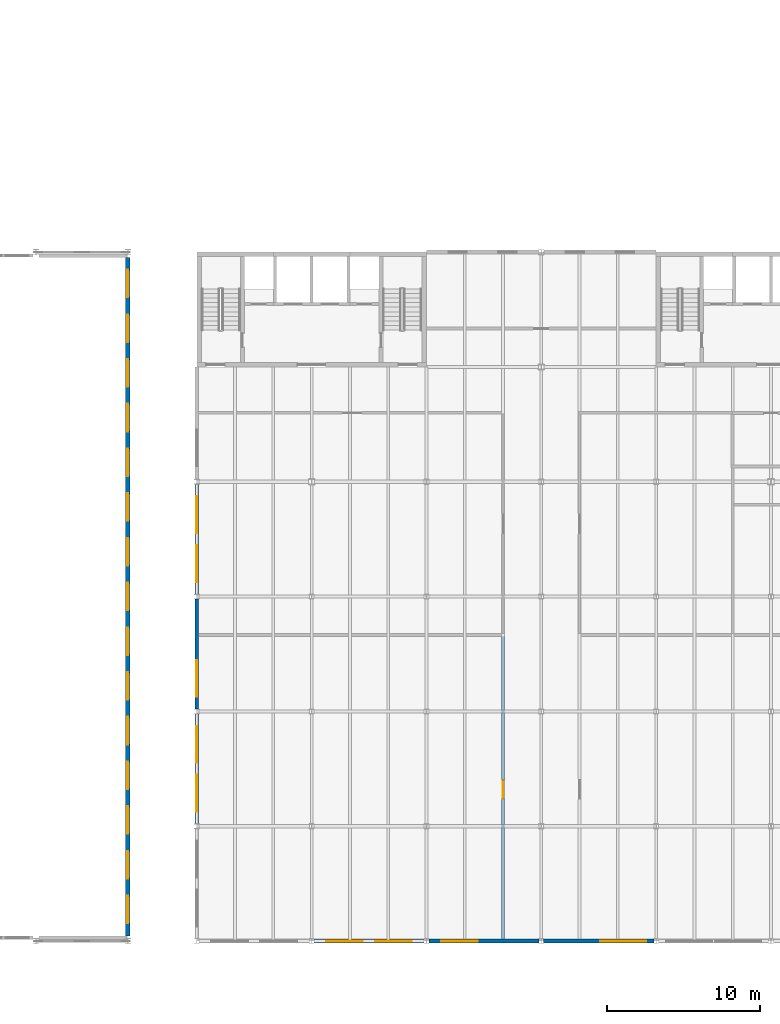
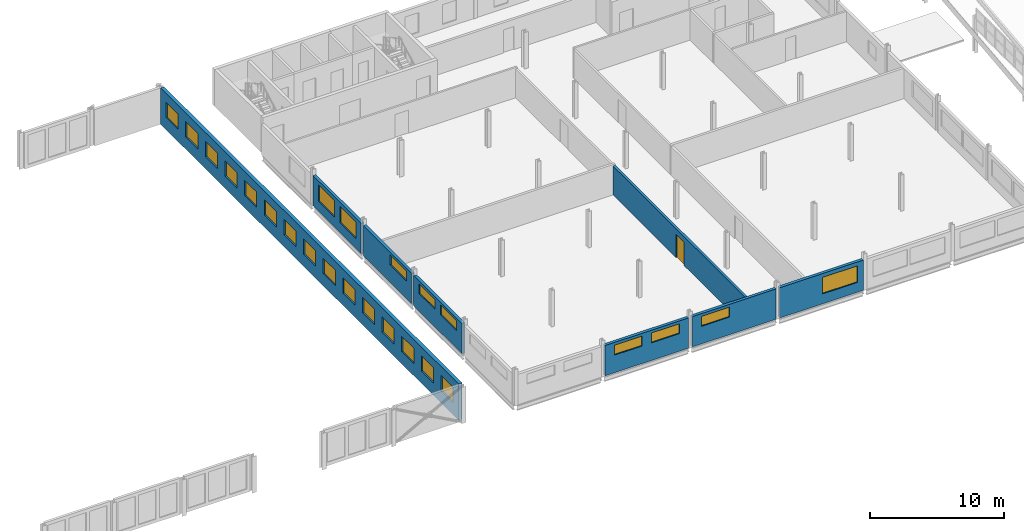
# One storey, part 52 of 199: 24 windows, 8 walls, 1 door, 25 openings.
"""IFC4 building model written with IfcOpenShell, lengths in metres."""

from ifc_helpers import new_model, si_unit, direction, frame, frame_2d, origin, place, context, subcontext, project, spatial, rectangle, extrude, material, layer, layer_set, type_object, element, fill, save


model = new_model("IFC4")

# Units and contexts
model_context = context("Model", 3, precision=1e-05, world=origin(), true_north=direction((0.0, 1.0)))
body_context = subcontext(model_context, "Body", "Model", "MODEL_VIEW")
ifc_project = project(units=[si_unit("LENGTHUNIT", "METRE"), si_unit("AREAUNIT", "SQUARE_METRE"), si_unit("VOLUMEUNIT", "CUBIC_METRE"), si_unit("PLANEANGLEUNIT", "RADIAN"), si_unit("MASSUNIT", "GRAM", prefix="KILO")], contexts=[model_context])

# Site, building, storey
site_placement = place(None, origin())
site = spatial("IfcSite", under=ifc_project, at=site_placement, CompositionType="ELEMENT")
building_placement = place(site_placement, origin())
building = spatial("IfcBuilding", under=site, at=building_placement, Name="Parallax Yard Mobility Hub", CompositionType="ELEMENT")
storey_placement = place(building_placement, frame((0.0, 0.0, 9.89990234375)))
storey = spatial("IfcBuildingStorey", under=building, at=storey_placement, Name="L03", CompositionType="ELEMENT", Elevation=9.89990234375)

# Wall, openings, windows
ifc_material_1 = material(Name="Concrete fc' 35 MPa", Category="concrete")
ifc_layer_1 = layer(ifc_material_1, 0.25)
ifc_layer_set_1 = layer_set([ifc_layer_1], Name="Exterior wall, Concrete fc' 35 MPa precast, 250 with insulation lining")
wall_type_1 = type_object("IfcWallType", Name="Exterior wall, Concrete fc' 35 MPa precast, 250 with insulation lining", PredefinedType="SOLIDWALL", material=ifc_layer_set_1)
wall_1_placement = place(storey_placement, frame((105.153564453125, 7.5, 0.0), z_axis=(0.0, 0.0, 1.0), x_axis=(1.0, 0.0, 0.0)))
wall_1 = element("IfcWall", 1, at=wall_1_placement, inside=storey, type_object=wall_type_1, Name="Mobility service centre and workshops south wall bay 2 level L03", PredefinedType="SOLIDWALL", context=body_context, shape_type="SweptSolid", body=[
    extrude(rectangle(XDim=7.19287109375, YDim=0.25, at=frame_2d((3.596435546875, 0.0))), origin(), (0.0, 0.0, 1.0), 2.7509765625),
])
opening_1_placement = place(wall_1_placement, frame((0.797607421875, 0.0, 1.60009765625)))
opening_1 = element("IfcOpeningElement", 2, at=opening_1_placement, cuts=wall_1, Name="Opening W4", PredefinedType="OPENING", context=body_context, shape_type="SweptSolid", body=[
    extrude(rectangle(XDim=2.39990234375, YDim=0.89990234375, at=frame_2d((1.199951171875, 0.449951171875))), frame((0.0, 0.135009765625, 0.0), z_axis=(0.0, -1.0, 0.0), x_axis=(1.0, 0.0, 0.0)), (0.0, 0.0, 1.0), 0.27001953125),
])
opening_2_placement = place(wall_1_placement, frame((3.995361328125, 0.0, 1.60009765625)))
opening_2 = element("IfcOpeningElement", 3, at=opening_2_placement, cuts=wall_1, Name="Opening W4", PredefinedType="OPENING", context=body_context, shape_type="SweptSolid", body=[
    extrude(rectangle(XDim=2.39990234375, YDim=0.89990234375, at=frame_2d((1.199951171875, 0.449951171875))), frame((0.0, 0.135009765625, 0.0), z_axis=(0.0, -1.0, 0.0), x_axis=(1.0, 0.0, 0.0)), (0.0, 0.0, 1.0), 0.27001953125),
])
ifc_material_2 = material(Name="Double glazed low-E unit in thermally broken aluminium frame", Category="aluminium")
window_type_1 = type_object("IfcWindowType", Name="Workshop high-level window 2400 x 900", PartitioningType="DOUBLE_PANEL_VERTICAL", PredefinedType="WINDOW", material=ifc_material_2)
window_1_placement = place(opening_1_placement, origin())
window_1 = element("IfcWindow", 4, at=window_1_placement, inside=storey, type_object=window_type_1, Name="Window W4 level L03", OverallHeight=0.89990234375, OverallWidth=2.39990234375, PartitioningType="DOUBLE_PANEL_VERTICAL", PredefinedType="WINDOW", context=body_context, shape_type="SweptSolid", body=[
    extrude(rectangle(XDim=2.39990234375, YDim=0.89990234375, at=frame_2d((1.199951171875, 0.449951171875))), frame((0.0, 0.030029296875, 0.0), z_axis=(0.0, -1.0, 0.0), x_axis=(1.0, 0.0, 0.0)), (0.0, 0.0, 1.0), 0.06005859375),
])
fill(opening_1, window_1)
window_2_placement = place(opening_2_placement, origin())
window_2 = element("IfcWindow", 5, at=window_2_placement, inside=storey, type_object=window_type_1, Name="Window W4 level L03", OverallHeight=0.89990234375, OverallWidth=2.39990234375, PartitioningType="DOUBLE_PANEL_VERTICAL", PredefinedType="WINDOW", context=body_context, shape_type="SweptSolid", body=[
    extrude(rectangle(XDim=2.39990234375, YDim=0.89990234375, at=frame_2d((1.199951171875, 0.449951171875))), frame((0.0, 0.030029296875, 0.0), z_axis=(0.0, -1.0, 0.0), x_axis=(1.0, 0.0, 0.0)), (0.0, 0.0, 1.0), 0.06005859375),
])
fill(opening_2, window_2)

# Wall, opening, window
wall_2_placement = place(storey_placement, frame((112.653564453125, 7.5, 0.0), z_axis=(0.0, 0.0, 1.0), x_axis=(1.0, 0.0, 0.0)))
wall_2 = element("IfcWall", 6, at=wall_2_placement, inside=storey, type_object=wall_type_1, Name="Mobility service centre and workshops south wall bay 3 level L03", PredefinedType="SOLIDWALL", context=body_context, shape_type="SweptSolid", body=[
    extrude(rectangle(XDim=7.19287109375, YDim=0.25, at=frame_2d((3.596435546875, 0.0))), origin(), (0.0, 0.0, 1.0), 2.7509765625),
])
opening_3_placement = place(wall_2_placement, frame((0.797607421875, 0.0, 1.60009765625)))
opening_3 = element("IfcOpeningElement", 7, at=opening_3_placement, cuts=wall_2, Name="Opening W4", PredefinedType="OPENING", context=body_context, shape_type="SweptSolid", body=[
    extrude(rectangle(XDim=2.39990234375, YDim=0.89990234375, at=frame_2d((1.199951171875, 0.449951171875))), frame((0.0, 0.135009765625, 0.0), z_axis=(0.0, -1.0, 0.0), x_axis=(1.0, 0.0, 0.0)), (0.0, 0.0, 1.0), 0.27001953125),
])
window_3_placement = place(opening_3_placement, origin())
window_3 = element("IfcWindow", 8, at=window_3_placement, inside=storey, type_object=window_type_1, Name="Window W4 level L03", OverallHeight=0.89990234375, OverallWidth=2.39990234375, PartitioningType="DOUBLE_PANEL_VERTICAL", PredefinedType="WINDOW", context=body_context, shape_type="SweptSolid", body=[
    extrude(rectangle(XDim=2.39990234375, YDim=0.89990234375, at=frame_2d((1.199951171875, 0.449951171875))), frame((0.0, 0.030029296875, 0.0), z_axis=(0.0, -1.0, 0.0), x_axis=(1.0, 0.0, 0.0)), (0.0, 0.0, 1.0), 0.06005859375),
])
fill(opening_3, window_3)

wall_3_placement = place(storey_placement, frame((120.153564453125, 7.5, 0.0), z_axis=(0.0, 0.0, 1.0), x_axis=(1.0, 0.0, 0.0)))
wall_3 = element("IfcWall", 9, at=wall_3_placement, inside=storey, type_object=wall_type_1, Name="Mobility service centre and workshops south wall bay 4 level L03", PredefinedType="SOLIDWALL", context=body_context, shape_type="SweptSolid", body=[
    extrude(rectangle(XDim=7.19287109375, YDim=0.25, at=frame_2d((3.596435546875, 0.0))), origin(), (0.0, 0.0, 1.0), 2.7509765625),
])
opening_4_placement = place(wall_3_placement, frame((3.6953125, 0.0, 0.89990234375)))
opening_4 = element("IfcOpeningElement", 10, at=opening_4_placement, cuts=wall_3, Name="Opening W7", PredefinedType="OPENING", context=body_context, shape_type="SweptSolid", body=[
    extrude(rectangle(XDim=3.0, YDim=1.5, at=frame_2d((1.5, 0.75))), frame((0.0, 0.135009765625, 0.0), z_axis=(0.0, -1.0, 0.0), x_axis=(1.0, 0.0, 0.0)), (0.0, 0.0, 1.0), 0.27001953125),
])
window_type_2 = type_object("IfcWindowType", Name="Meeting room window 3000 x 1500", PartitioningType="TRIPLE_PANEL_VERTICAL", PredefinedType="WINDOW", material=ifc_material_2)
window_4_placement = place(opening_4_placement, origin())
window_4 = element("IfcWindow", 11, at=window_4_placement, inside=storey, type_object=window_type_2, Name="Window W7 level L03", OverallHeight=1.5, OverallWidth=3.0, PartitioningType="TRIPLE_PANEL_VERTICAL", PredefinedType="WINDOW", context=body_context, shape_type="SweptSolid", body=[
    extrude(rectangle(XDim=3.0, YDim=1.5, at=frame_2d((1.5, 0.75))), frame((0.0, 0.030029296875, 0.0), z_axis=(0.0, -1.0, 0.0), x_axis=(1.0, 0.0, 0.0)), (0.0, 0.0, 1.0), 0.06005859375),
])
fill(opening_4, window_4)

# Wall, openings, windows
wall_4_placement = place(storey_placement, frame((97.5, 15.153564453125, 0.0), z_axis=(0.0, 0.0, 1.0), x_axis=(0.0, 1.0, 0.0)))
wall_4 = element("IfcWall", 12, at=wall_4_placement, inside=storey, type_object=wall_type_1, Name="Mobility service centre and workshops west wall bay 2 level L03", PredefinedType="SOLIDWALL", context=body_context, shape_type="SweptSolid", body=[
    extrude(rectangle(XDim=7.19287109375, YDim=0.25, at=frame_2d((3.596435546875, 0.0))), origin(), (0.0, 0.0, 1.0), 2.7509765625),
])
opening_5_placement = place(wall_4_placement, frame((0.797607421875, 0.0, 1.60009765625)))
opening_5 = element("IfcOpeningElement", 13, at=opening_5_placement, cuts=wall_4, Name="Opening W4", PredefinedType="OPENING", context=body_context, shape_type="SweptSolid", body=[
    extrude(rectangle(XDim=2.39990234375, YDim=0.89990234375, at=frame_2d((1.199951171875, 0.449951171875))), frame((0.0, 0.135009765625, 0.0), z_axis=(0.0, -1.0, 0.0), x_axis=(1.0, 0.0, 0.0)), (0.0, 0.0, 1.0), 0.27001953125),
])
opening_6_placement = place(wall_4_placement, frame((3.995361328125, 0.0, 1.60009765625)))
opening_6 = element("IfcOpeningElement", 14, at=opening_6_placement, cuts=wall_4, Name="Opening W4", PredefinedType="OPENING", context=body_context, shape_type="SweptSolid", body=[
    extrude(rectangle(XDim=2.39990234375, YDim=0.89990234375, at=frame_2d((1.199951171875, 0.449951171875))), frame((0.0, 0.135009765625, 0.0), z_axis=(0.0, -1.0, 0.0), x_axis=(1.0, 0.0, 0.0)), (0.0, 0.0, 1.0), 0.27001953125),
])
window_5_placement = place(opening_5_placement, origin())
window_5 = element("IfcWindow", 15, at=window_5_placement, inside=storey, type_object=window_type_1, Name="Window W4 level L03", OverallHeight=0.89990234375, OverallWidth=2.39990234375, PartitioningType="DOUBLE_PANEL_VERTICAL", PredefinedType="WINDOW", context=body_context, shape_type="SweptSolid", body=[
    extrude(rectangle(XDim=2.39990234375, YDim=0.89990234375, at=frame_2d((1.199951171875, 0.449951171875))), frame((0.0, 0.030029296875, 0.0), z_axis=(0.0, -1.0, 0.0), x_axis=(1.0, 0.0, 0.0)), (0.0, 0.0, 1.0), 0.06005859375),
])
fill(opening_5, window_5)
window_6_placement = place(opening_6_placement, origin())
window_6 = element("IfcWindow", 16, at=window_6_placement, inside=storey, type_object=window_type_1, Name="Window W4 level L03", OverallHeight=0.89990234375, OverallWidth=2.39990234375, PartitioningType="DOUBLE_PANEL_VERTICAL", PredefinedType="WINDOW", context=body_context, shape_type="SweptSolid", body=[
    extrude(rectangle(XDim=2.39990234375, YDim=0.89990234375, at=frame_2d((1.199951171875, 0.449951171875))), frame((0.0, 0.030029296875, 0.0), z_axis=(0.0, -1.0, 0.0), x_axis=(1.0, 0.0, 0.0)), (0.0, 0.0, 1.0), 0.06005859375),
])
fill(opening_6, window_6)

# Wall, opening, window
wall_5_placement = place(storey_placement, frame((97.5, 22.653564453125, 0.0), z_axis=(0.0, 0.0, 1.0), x_axis=(0.0, 1.0, 0.0)))
wall_5 = element("IfcWall", 17, at=wall_5_placement, inside=storey, type_object=wall_type_1, Name="Mobility service centre and workshops west wall bay 3 level L03", PredefinedType="SOLIDWALL", context=body_context, shape_type="SweptSolid", body=[
    extrude(rectangle(XDim=7.19287109375, YDim=0.25, at=frame_2d((3.596435546875, 0.0))), origin(), (0.0, 0.0, 1.0), 2.7509765625),
])
opening_7_placement = place(wall_5_placement, frame((0.797607421875, 0.0, 1.60009765625)))
opening_7 = element("IfcOpeningElement", 18, at=opening_7_placement, cuts=wall_5, Name="Opening W4", PredefinedType="OPENING", context=body_context, shape_type="SweptSolid", body=[
    extrude(rectangle(XDim=2.39990234375, YDim=0.89990234375, at=frame_2d((1.199951171875, 0.449951171875))), frame((0.0, 0.135009765625, 0.0), z_axis=(0.0, -1.0, 0.0), x_axis=(1.0, 0.0, 0.0)), (0.0, 0.0, 1.0), 0.27001953125),
])
window_7_placement = place(opening_7_placement, origin())
window_7 = element("IfcWindow", 19, at=window_7_placement, inside=storey, type_object=window_type_1, Name="Window W4 level L03", OverallHeight=0.89990234375, OverallWidth=2.39990234375, PartitioningType="DOUBLE_PANEL_VERTICAL", PredefinedType="WINDOW", context=body_context, shape_type="SweptSolid", body=[
    extrude(rectangle(XDim=2.39990234375, YDim=0.89990234375, at=frame_2d((1.199951171875, 0.449951171875))), frame((0.0, 0.030029296875, 0.0), z_axis=(0.0, -1.0, 0.0), x_axis=(1.0, 0.0, 0.0)), (0.0, 0.0, 1.0), 0.06005859375),
])
fill(opening_7, window_7)

# Wall, openings, windows
wall_6_placement = place(storey_placement, frame((97.5, 30.153564453125, 0.0), z_axis=(0.0, 0.0, 1.0), x_axis=(0.0, 1.0, 0.0)))
wall_6 = element("IfcWall", 20, at=wall_6_placement, inside=storey, type_object=wall_type_1, Name="Mobility service centre and workshops west wall bay 4 level L03", PredefinedType="SOLIDWALL", context=body_context, shape_type="SweptSolid", body=[
    extrude(rectangle(XDim=7.1875, YDim=0.25, at=frame_2d((3.59375, 0.0))), origin(), (0.0, 0.0, 1.0), 2.7509765625),
])
opening_8_placement = place(wall_6_placement, frame((0.7958984375, 0.0, 0.89990234375)))
opening_8 = element("IfcOpeningElement", 21, at=opening_8_placement, cuts=wall_6, Name="Opening W1", PredefinedType="OPENING", context=body_context, shape_type="SweptSolid", body=[
    extrude(rectangle(XDim=2.39990234375, YDim=1.5, at=frame_2d((1.199951171875, 0.75))), frame((0.0, 0.135009765625, 0.0), z_axis=(0.0, -1.0, 0.0), x_axis=(1.0, 0.0, 0.0)), (0.0, 0.0, 1.0), 0.27001953125),
])
opening_9_placement = place(wall_6_placement, frame((3.99169921875, 0.0, 0.89990234375)))
opening_9 = element("IfcOpeningElement", 22, at=opening_9_placement, cuts=wall_6, Name="Opening W1", PredefinedType="OPENING", context=body_context, shape_type="SweptSolid", body=[
    extrude(rectangle(XDim=2.39990234375, YDim=1.5, at=frame_2d((1.199951171875, 0.75))), frame((0.0, 0.135009765625, 0.0), z_axis=(0.0, -1.0, 0.0), x_axis=(1.0, 0.0, 0.0)), (0.0, 0.0, 1.0), 0.27001953125),
])
window_type_3 = type_object("IfcWindowType", Name="Window 2400 x 1500", PartitioningType="DOUBLE_PANEL_VERTICAL", PredefinedType="WINDOW", material=ifc_material_2)
window_8_placement = place(opening_8_placement, origin())
window_8 = element("IfcWindow", 23, at=window_8_placement, inside=storey, type_object=window_type_3, Name="Window W1 level L03", OverallHeight=1.5, OverallWidth=2.39990234375, PartitioningType="DOUBLE_PANEL_VERTICAL", PredefinedType="WINDOW", context=body_context, shape_type="SweptSolid", body=[
    extrude(rectangle(XDim=2.39990234375, YDim=1.5, at=frame_2d((1.199951171875, 0.75))), frame((0.0, 0.030029296875, 0.0), z_axis=(0.0, -1.0, 0.0), x_axis=(1.0, 0.0, 0.0)), (0.0, 0.0, 1.0), 0.06005859375),
])
fill(opening_8, window_8)
window_9_placement = place(opening_9_placement, origin())
window_9 = element("IfcWindow", 24, at=window_9_placement, inside=storey, type_object=window_type_3, Name="Window W1 level L03", OverallHeight=1.5, OverallWidth=2.39990234375, PartitioningType="DOUBLE_PANEL_VERTICAL", PredefinedType="WINDOW", context=body_context, shape_type="SweptSolid", body=[
    extrude(rectangle(XDim=2.39990234375, YDim=1.5, at=frame_2d((1.199951171875, 0.75))), frame((0.0, 0.030029296875, 0.0), z_axis=(0.0, -1.0, 0.0), x_axis=(1.0, 0.0, 0.0)), (0.0, 0.0, 1.0), 0.06005859375),
])
fill(opening_9, window_9)

# Wall, opening, door
ifc_material_3 = material(Name="Fire-rated plasterboard partition, two layers each side")
ifc_layer_2 = layer(ifc_material_3, 0.199951171875)
ifc_layer_set_2 = layer_set([ifc_layer_2], Name="Fire-rated partition 200 mm")
wall_type_2 = type_object("IfcWallType", Name="Fire-rated partition 200 mm", PredefinedType="PARTITIONING", material=ifc_layer_set_2)
wall_7_placement = place(storey_placement, frame((117.5, 7.625, 0.0), z_axis=(0.0, 0.0, 1.0), x_axis=(0.0, 1.0, 0.0)))
wall_7 = element("IfcWall", 25, at=wall_7_placement, inside=storey, type_object=wall_type_2, Name="Partition 29 level L03", PredefinedType="PARTITIONING", context=body_context, shape_type="SweptSolid", body=[
    extrude(rectangle(XDim=19.77490234375, YDim=0.199951171875, at=frame_2d((9.887451171875, 0.0))), origin(), (0.0, 0.0, 1.0), 2.627197265625),
])
opening_10_placement = place(wall_7_placement, frame((9.175048828125, 0.0, 0.0)))
opening_10 = element("IfcOpeningElement", 26, at=opening_10_placement, cuts=wall_7, Name="Opening L03-D200", PredefinedType="OPENING", context=body_context, shape_type="SweptSolid", body=[
    extrude(rectangle(XDim=1.199951171875, YDim=2.10009765625, at=frame_2d((0.60009765625, 1.050048828125))), frame((0.0, 0.10986328125, 0.0), z_axis=(0.0, -1.0, 0.0), x_axis=(1.0, 0.0, 0.0)), (0.0, 0.0, 1.0), 0.219970703125),
])
ifc_material_4 = material(Name="Hollow metal fire door leaf with intumescent seals")
door_type = type_object("IfcDoorType", Name="Fire door 1200 mm FD60", OperationType="DOUBLE_DOOR_SINGLE_SWING", PredefinedType="DOOR", material=ifc_material_4)
door_placement = place(opening_10_placement, origin())
door = element("IfcDoor", 27, at=door_placement, inside=storey, type_object=door_type, Name="Door L03-D200 Cycle Training Workshop", OperationType="DOUBLE_DOOR_SINGLE_SWING", OverallHeight=2.10009765625, OverallWidth=1.199951171875, PredefinedType="DOOR", context=body_context, shape_type="SweptSolid", body=[
    extrude(rectangle(XDim=1.199951171875, YDim=2.10009765625, at=frame_2d((0.60009765625, 1.050048828125))), frame((0.0, 0.02490234375, 0.0), z_axis=(0.0, -1.0, 0.0), x_axis=(1.0, 0.0, 0.0)), (0.0, 0.0, 1.0), 0.050048828125),
])
fill(opening_10, door)

# Wall, openings, windows
ifc_layer_3 = layer(ifc_material_1, 0.300048828125)
ifc_layer_set_3 = layer_set([ifc_layer_3], Name="Portal end wall, Concrete fc' 35 MPa precast, 300")
wall_type_3 = type_object("IfcWallType", Name="Portal end wall, Concrete fc' 35 MPa precast, 300", PredefinedType="SOLIDWALL", material=ifc_layer_set_3)
wall_8_placement = place(storey_placement, frame((93.0, 7.8388671875, 0.0), z_axis=(0.0, 0.0, 1.0), x_axis=(0.0, 1.0, 0.0)))
wall_8 = element("IfcWall", 28, at=wall_8_placement, inside=storey, type_object=wall_type_3, Name="Bus and taxi deck east end wall bay 1 level L03", PredefinedType="SOLIDWALL", context=body_context, shape_type="SweptSolid", body=[
    extrude(rectangle(XDim=44.322265625, YDim=0.300048828125, at=frame_2d((22.1611328125, 0.0))), origin(), (0.0, 0.0, 1.0), 3.300048828125),
])
opening_11_placement = place(wall_8_placement, frame((0.820068359375, 0.0, 1.10009765625)))
opening_11 = element("IfcOpeningElement", 29, at=opening_11_placement, cuts=wall_8, Name="Opening LV2", PredefinedType="OPENING", context=body_context, shape_type="SweptSolid", body=[
    extrude(rectangle(XDim=1.800048828125, YDim=1.39990234375, at=frame_2d((0.89990234375, 0.699951171875))), frame((0.0, 0.16015625, 0.0), z_axis=(0.0, -1.0, 0.0), x_axis=(1.0, 0.0, 0.0)), (0.0, 0.0, 1.0), 0.320068359375),
])
opening_12_placement = place(wall_8_placement, frame((3.740234375, 0.0, 1.10009765625)))
opening_12 = element("IfcOpeningElement", 30, at=opening_12_placement, cuts=wall_8, Name="Opening LV2", PredefinedType="OPENING", context=body_context, shape_type="SweptSolid", body=[
    extrude(rectangle(XDim=1.800048828125, YDim=1.39990234375, at=frame_2d((0.89990234375, 0.699951171875))), frame((0.0, 0.16015625, 0.0), z_axis=(0.0, -1.0, 0.0), x_axis=(1.0, 0.0, 0.0)), (0.0, 0.0, 1.0), 0.320068359375),
])
opening_13_placement = place(wall_8_placement, frame((6.660400390625, 0.0, 1.10009765625)))
opening_13 = element("IfcOpeningElement", 31, at=opening_13_placement, cuts=wall_8, Name="Opening LV2", PredefinedType="OPENING", context=body_context, shape_type="SweptSolid", body=[
    extrude(rectangle(XDim=1.800048828125, YDim=1.39990234375, at=frame_2d((0.89990234375, 0.699951171875))), frame((0.0, 0.16015625, 0.0), z_axis=(0.0, -1.0, 0.0), x_axis=(1.0, 0.0, 0.0)), (0.0, 0.0, 1.0), 0.320068359375),
])
opening_14_placement = place(wall_8_placement, frame((9.58056640625, 0.0, 1.10009765625)))
opening_14 = element("IfcOpeningElement", 32, at=opening_14_placement, cuts=wall_8, Name="Opening LV2", PredefinedType="OPENING", context=body_context, shape_type="SweptSolid", body=[
    extrude(rectangle(XDim=1.800048828125, YDim=1.39990234375, at=frame_2d((0.89990234375, 0.699951171875))), frame((0.0, 0.16015625, 0.0), z_axis=(0.0, -1.0, 0.0), x_axis=(1.0, 0.0, 0.0)), (0.0, 0.0, 1.0), 0.320068359375),
])
opening_15_placement = place(wall_8_placement, frame((12.500732421875, 0.0, 1.10009765625)))
opening_15 = element("IfcOpeningElement", 33, at=opening_15_placement, cuts=wall_8, Name="Opening LV2", PredefinedType="OPENING", context=body_context, shape_type="SweptSolid", body=[
    extrude(rectangle(XDim=1.800048828125, YDim=1.39990234375, at=frame_2d((0.89990234375, 0.699951171875))), frame((0.0, 0.16015625, 0.0), z_axis=(0.0, -1.0, 0.0), x_axis=(1.0, 0.0, 0.0)), (0.0, 0.0, 1.0), 0.320068359375),
])
opening_16_placement = place(wall_8_placement, frame((15.4208984375, 0.0, 1.10009765625)))
opening_16 = element("IfcOpeningElement", 34, at=opening_16_placement, cuts=wall_8, Name="Opening LV2", PredefinedType="OPENING", context=body_context, shape_type="SweptSolid", body=[
    extrude(rectangle(XDim=1.800048828125, YDim=1.39990234375, at=frame_2d((0.89990234375, 0.699951171875))), frame((0.0, 0.16015625, 0.0), z_axis=(0.0, -1.0, 0.0), x_axis=(1.0, 0.0, 0.0)), (0.0, 0.0, 1.0), 0.320068359375),
])
opening_17_placement = place(wall_8_placement, frame((18.341064453125, 0.0, 1.10009765625)))
opening_17 = element("IfcOpeningElement", 35, at=opening_17_placement, cuts=wall_8, Name="Opening LV2", PredefinedType="OPENING", context=body_context, shape_type="SweptSolid", body=[
    extrude(rectangle(XDim=1.800048828125, YDim=1.39990234375, at=frame_2d((0.89990234375, 0.699951171875))), frame((0.0, 0.16015625, 0.0), z_axis=(0.0, -1.0, 0.0), x_axis=(1.0, 0.0, 0.0)), (0.0, 0.0, 1.0), 0.320068359375),
])
opening_18_placement = place(wall_8_placement, frame((21.260986328125, 0.0, 1.10009765625)))
opening_18 = element("IfcOpeningElement", 36, at=opening_18_placement, cuts=wall_8, Name="Opening LV2", PredefinedType="OPENING", context=body_context, shape_type="SweptSolid", body=[
    extrude(rectangle(XDim=1.800048828125, YDim=1.39990234375, at=frame_2d((0.89990234375, 0.699951171875))), frame((0.0, 0.16015625, 0.0), z_axis=(0.0, -1.0, 0.0), x_axis=(1.0, 0.0, 0.0)), (0.0, 0.0, 1.0), 0.320068359375),
])
opening_19_placement = place(wall_8_placement, frame((24.18115234375, 0.0, 1.10009765625)))
opening_19 = element("IfcOpeningElement", 37, at=opening_19_placement, cuts=wall_8, Name="Opening LV2", PredefinedType="OPENING", context=body_context, shape_type="SweptSolid", body=[
    extrude(rectangle(XDim=1.800048828125, YDim=1.39990234375, at=frame_2d((0.89990234375, 0.699951171875))), frame((0.0, 0.16015625, 0.0), z_axis=(0.0, -1.0, 0.0), x_axis=(1.0, 0.0, 0.0)), (0.0, 0.0, 1.0), 0.320068359375),
])
opening_20_placement = place(wall_8_placement, frame((27.101318359375, 0.0, 1.10009765625)))
opening_20 = element("IfcOpeningElement", 38, at=opening_20_placement, cuts=wall_8, Name="Opening LV2", PredefinedType="OPENING", context=body_context, shape_type="SweptSolid", body=[
    extrude(rectangle(XDim=1.800048828125, YDim=1.39990234375, at=frame_2d((0.89990234375, 0.699951171875))), frame((0.0, 0.16015625, 0.0), z_axis=(0.0, -1.0, 0.0), x_axis=(1.0, 0.0, 0.0)), (0.0, 0.0, 1.0), 0.320068359375),
])
opening_21_placement = place(wall_8_placement, frame((30.021484375, 0.0, 1.10009765625)))
opening_21 = element("IfcOpeningElement", 39, at=opening_21_placement, cuts=wall_8, Name="Opening LV2", PredefinedType="OPENING", context=body_context, shape_type="SweptSolid", body=[
    extrude(rectangle(XDim=1.800048828125, YDim=1.39990234375, at=frame_2d((0.89990234375, 0.699951171875))), frame((0.0, 0.16015625, 0.0), z_axis=(0.0, -1.0, 0.0), x_axis=(1.0, 0.0, 0.0)), (0.0, 0.0, 1.0), 0.320068359375),
])
opening_22_placement = place(wall_8_placement, frame((32.941650390625, 0.0, 1.10009765625)))
opening_22 = element("IfcOpeningElement", 40, at=opening_22_placement, cuts=wall_8, Name="Opening LV2", PredefinedType="OPENING", context=body_context, shape_type="SweptSolid", body=[
    extrude(rectangle(XDim=1.800048828125, YDim=1.39990234375, at=frame_2d((0.89990234375, 0.699951171875))), frame((0.0, 0.16015625, 0.0), z_axis=(0.0, -1.0, 0.0), x_axis=(1.0, 0.0, 0.0)), (0.0, 0.0, 1.0), 0.320068359375),
])
opening_23_placement = place(wall_8_placement, frame((35.86181640625, 0.0, 1.10009765625)))
opening_23 = element("IfcOpeningElement", 41, at=opening_23_placement, cuts=wall_8, Name="Opening LV2", PredefinedType="OPENING", context=body_context, shape_type="SweptSolid", body=[
    extrude(rectangle(XDim=1.800048828125, YDim=1.39990234375, at=frame_2d((0.89990234375, 0.699951171875))), frame((0.0, 0.16015625, 0.0), z_axis=(0.0, -1.0, 0.0), x_axis=(1.0, 0.0, 0.0)), (0.0, 0.0, 1.0), 0.320068359375),
])
opening_24_placement = place(wall_8_placement, frame((38.781982421875, 0.0, 1.10009765625)))
opening_24 = element("IfcOpeningElement", 42, at=opening_24_placement, cuts=wall_8, Name="Opening LV2", PredefinedType="OPENING", context=body_context, shape_type="SweptSolid", body=[
    extrude(rectangle(XDim=1.800048828125, YDim=1.39990234375, at=frame_2d((0.89990234375, 0.699951171875))), frame((0.0, 0.16015625, 0.0), z_axis=(0.0, -1.0, 0.0), x_axis=(1.0, 0.0, 0.0)), (0.0, 0.0, 1.0), 0.320068359375),
])
opening_25_placement = place(wall_8_placement, frame((41.7021484375, 0.0, 1.10009765625)))
opening_25 = element("IfcOpeningElement", 43, at=opening_25_placement, cuts=wall_8, Name="Opening LV2", PredefinedType="OPENING", context=body_context, shape_type="SweptSolid", body=[
    extrude(rectangle(XDim=1.800048828125, YDim=1.39990234375, at=frame_2d((0.89990234375, 0.699951171875))), frame((0.0, 0.16015625, 0.0), z_axis=(0.0, -1.0, 0.0), x_axis=(1.0, 0.0, 0.0)), (0.0, 0.0, 1.0), 0.320068359375),
])
ifc_material_5 = material(Name="Extruded aluminium storm louvre blades in a powder-coated frame", Category="aluminium")
window_type_4 = type_object("IfcWindowType", Name="Screen louvre 1800 x 1400", PartitioningType="SINGLE_PANEL", PredefinedType="WINDOW", material=ifc_material_5)
window_10_placement = place(opening_11_placement, origin())
window_10 = element("IfcWindow", 44, at=window_10_placement, inside=storey, type_object=window_type_4, Name="LV2 louvre level L03", OverallHeight=1.39990234375, OverallWidth=1.800048828125, PartitioningType="SINGLE_PANEL", PredefinedType="WINDOW", context=body_context, shape_type="SweptSolid", body=[
    extrude(rectangle(XDim=1.800048828125, YDim=1.39990234375, at=frame_2d((0.89990234375, 0.699951171875))), frame((0.0, 0.030029296875, 0.0), z_axis=(0.0, -1.0, 0.0), x_axis=(1.0, 0.0, 0.0)), (0.0, 0.0, 1.0), 0.06005859375),
])
fill(opening_11, window_10)
window_11_placement = place(opening_12_placement, origin())
window_11 = element("IfcWindow", 45, at=window_11_placement, inside=storey, type_object=window_type_4, Name="LV2 louvre level L03", OverallHeight=1.39990234375, OverallWidth=1.800048828125, PartitioningType="SINGLE_PANEL", PredefinedType="WINDOW", context=body_context, shape_type="SweptSolid", body=[
    extrude(rectangle(XDim=1.800048828125, YDim=1.39990234375, at=frame_2d((0.89990234375, 0.699951171875))), frame((0.0, 0.030029296875, 0.0), z_axis=(0.0, -1.0, 0.0), x_axis=(1.0, 0.0, 0.0)), (0.0, 0.0, 1.0), 0.06005859375),
])
fill(opening_12, window_11)
window_12_placement = place(opening_13_placement, origin())
window_12 = element("IfcWindow", 46, at=window_12_placement, inside=storey, type_object=window_type_4, Name="LV2 louvre level L03", OverallHeight=1.39990234375, OverallWidth=1.800048828125, PartitioningType="SINGLE_PANEL", PredefinedType="WINDOW", context=body_context, shape_type="SweptSolid", body=[
    extrude(rectangle(XDim=1.800048828125, YDim=1.39990234375, at=frame_2d((0.89990234375, 0.699951171875))), frame((0.0, 0.030029296875, 0.0), z_axis=(0.0, -1.0, 0.0), x_axis=(1.0, 0.0, 0.0)), (0.0, 0.0, 1.0), 0.06005859375),
])
fill(opening_13, window_12)
window_13_placement = place(opening_14_placement, origin())
window_13 = element("IfcWindow", 47, at=window_13_placement, inside=storey, type_object=window_type_4, Name="LV2 louvre level L03", OverallHeight=1.39990234375, OverallWidth=1.800048828125, PartitioningType="SINGLE_PANEL", PredefinedType="WINDOW", context=body_context, shape_type="SweptSolid", body=[
    extrude(rectangle(XDim=1.800048828125, YDim=1.39990234375, at=frame_2d((0.89990234375, 0.699951171875))), frame((0.0, 0.030029296875, 0.0), z_axis=(0.0, -1.0, 0.0), x_axis=(1.0, 0.0, 0.0)), (0.0, 0.0, 1.0), 0.06005859375),
])
fill(opening_14, window_13)
window_14_placement = place(opening_15_placement, origin())
window_14 = element("IfcWindow", 48, at=window_14_placement, inside=storey, type_object=window_type_4, Name="LV2 louvre level L03", OverallHeight=1.39990234375, OverallWidth=1.800048828125, PartitioningType="SINGLE_PANEL", PredefinedType="WINDOW", context=body_context, shape_type="SweptSolid", body=[
    extrude(rectangle(XDim=1.800048828125, YDim=1.39990234375, at=frame_2d((0.89990234375, 0.699951171875))), frame((0.0, 0.030029296875, 0.0), z_axis=(0.0, -1.0, 0.0), x_axis=(1.0, 0.0, 0.0)), (0.0, 0.0, 1.0), 0.06005859375),
])
fill(opening_15, window_14)
window_15_placement = place(opening_16_placement, origin())
window_15 = element("IfcWindow", 49, at=window_15_placement, inside=storey, type_object=window_type_4, Name="LV2 louvre level L03", OverallHeight=1.39990234375, OverallWidth=1.800048828125, PartitioningType="SINGLE_PANEL", PredefinedType="WINDOW", context=body_context, shape_type="SweptSolid", body=[
    extrude(rectangle(XDim=1.800048828125, YDim=1.39990234375, at=frame_2d((0.89990234375, 0.699951171875))), frame((0.0, 0.030029296875, 0.0), z_axis=(0.0, -1.0, 0.0), x_axis=(1.0, 0.0, 0.0)), (0.0, 0.0, 1.0), 0.06005859375),
])
fill(opening_16, window_15)
window_16_placement = place(opening_17_placement, origin())
window_16 = element("IfcWindow", 50, at=window_16_placement, inside=storey, type_object=window_type_4, Name="LV2 louvre level L03", OverallHeight=1.39990234375, OverallWidth=1.800048828125, PartitioningType="SINGLE_PANEL", PredefinedType="WINDOW", context=body_context, shape_type="SweptSolid", body=[
    extrude(rectangle(XDim=1.800048828125, YDim=1.39990234375, at=frame_2d((0.89990234375, 0.699951171875))), frame((0.0, 0.030029296875, 0.0), z_axis=(0.0, -1.0, 0.0), x_axis=(1.0, 0.0, 0.0)), (0.0, 0.0, 1.0), 0.06005859375),
])
fill(opening_17, window_16)
window_17_placement = place(opening_18_placement, origin())
window_17 = element("IfcWindow", 51, at=window_17_placement, inside=storey, type_object=window_type_4, Name="LV2 louvre level L03", OverallHeight=1.39990234375, OverallWidth=1.800048828125, PartitioningType="SINGLE_PANEL", PredefinedType="WINDOW", context=body_context, shape_type="SweptSolid", body=[
    extrude(rectangle(XDim=1.800048828125, YDim=1.39990234375, at=frame_2d((0.89990234375, 0.699951171875))), frame((0.0, 0.030029296875, 0.0), z_axis=(0.0, -1.0, 0.0), x_axis=(1.0, 0.0, 0.0)), (0.0, 0.0, 1.0), 0.06005859375),
])
fill(opening_18, window_17)
window_18_placement = place(opening_19_placement, origin())
window_18 = element("IfcWindow", 52, at=window_18_placement, inside=storey, type_object=window_type_4, Name="LV2 louvre level L03", OverallHeight=1.39990234375, OverallWidth=1.800048828125, PartitioningType="SINGLE_PANEL", PredefinedType="WINDOW", context=body_context, shape_type="SweptSolid", body=[
    extrude(rectangle(XDim=1.800048828125, YDim=1.39990234375, at=frame_2d((0.89990234375, 0.699951171875))), frame((0.0, 0.030029296875, 0.0), z_axis=(0.0, -1.0, 0.0), x_axis=(1.0, 0.0, 0.0)), (0.0, 0.0, 1.0), 0.06005859375),
])
fill(opening_19, window_18)
window_19_placement = place(opening_20_placement, origin())
window_19 = element("IfcWindow", 53, at=window_19_placement, inside=storey, type_object=window_type_4, Name="LV2 louvre level L03", OverallHeight=1.39990234375, OverallWidth=1.800048828125, PartitioningType="SINGLE_PANEL", PredefinedType="WINDOW", context=body_context, shape_type="SweptSolid", body=[
    extrude(rectangle(XDim=1.800048828125, YDim=1.39990234375, at=frame_2d((0.89990234375, 0.699951171875))), frame((0.0, 0.030029296875, 0.0), z_axis=(0.0, -1.0, 0.0), x_axis=(1.0, 0.0, 0.0)), (0.0, 0.0, 1.0), 0.06005859375),
])
fill(opening_20, window_19)
window_20_placement = place(opening_21_placement, origin())
window_20 = element("IfcWindow", 54, at=window_20_placement, inside=storey, type_object=window_type_4, Name="LV2 louvre level L03", OverallHeight=1.39990234375, OverallWidth=1.800048828125, PartitioningType="SINGLE_PANEL", PredefinedType="WINDOW", context=body_context, shape_type="SweptSolid", body=[
    extrude(rectangle(XDim=1.800048828125, YDim=1.39990234375, at=frame_2d((0.89990234375, 0.699951171875))), frame((0.0, 0.030029296875, 0.0), z_axis=(0.0, -1.0, 0.0), x_axis=(1.0, 0.0, 0.0)), (0.0, 0.0, 1.0), 0.06005859375),
])
fill(opening_21, window_20)
window_21_placement = place(opening_22_placement, origin())
window_21 = element("IfcWindow", 55, at=window_21_placement, inside=storey, type_object=window_type_4, Name="LV2 louvre level L03", OverallHeight=1.39990234375, OverallWidth=1.800048828125, PartitioningType="SINGLE_PANEL", PredefinedType="WINDOW", context=body_context, shape_type="SweptSolid", body=[
    extrude(rectangle(XDim=1.800048828125, YDim=1.39990234375, at=frame_2d((0.89990234375, 0.699951171875))), frame((0.0, 0.030029296875, 0.0), z_axis=(0.0, -1.0, 0.0), x_axis=(1.0, 0.0, 0.0)), (0.0, 0.0, 1.0), 0.06005859375),
])
fill(opening_22, window_21)
window_22_placement = place(opening_23_placement, origin())
window_22 = element("IfcWindow", 56, at=window_22_placement, inside=storey, type_object=window_type_4, Name="LV2 louvre level L03", OverallHeight=1.39990234375, OverallWidth=1.800048828125, PartitioningType="SINGLE_PANEL", PredefinedType="WINDOW", context=body_context, shape_type="SweptSolid", body=[
    extrude(rectangle(XDim=1.800048828125, YDim=1.39990234375, at=frame_2d((0.89990234375, 0.699951171875))), frame((0.0, 0.030029296875, 0.0), z_axis=(0.0, -1.0, 0.0), x_axis=(1.0, 0.0, 0.0)), (0.0, 0.0, 1.0), 0.06005859375),
])
fill(opening_23, window_22)
window_23_placement = place(opening_24_placement, origin())
window_23 = element("IfcWindow", 57, at=window_23_placement, inside=storey, type_object=window_type_4, Name="LV2 louvre level L03", OverallHeight=1.39990234375, OverallWidth=1.800048828125, PartitioningType="SINGLE_PANEL", PredefinedType="WINDOW", context=body_context, shape_type="SweptSolid", body=[
    extrude(rectangle(XDim=1.800048828125, YDim=1.39990234375, at=frame_2d((0.89990234375, 0.699951171875))), frame((0.0, 0.030029296875, 0.0), z_axis=(0.0, -1.0, 0.0), x_axis=(1.0, 0.0, 0.0)), (0.0, 0.0, 1.0), 0.06005859375),
])
fill(opening_24, window_23)
window_24_placement = place(opening_25_placement, origin())
window_24 = element("IfcWindow", 58, at=window_24_placement, inside=storey, type_object=window_type_4, Name="LV2 louvre level L03", OverallHeight=1.39990234375, OverallWidth=1.800048828125, PartitioningType="SINGLE_PANEL", PredefinedType="WINDOW", context=body_context, shape_type="SweptSolid", body=[
    extrude(rectangle(XDim=1.800048828125, YDim=1.39990234375, at=frame_2d((0.89990234375, 0.699951171875))), frame((0.0, 0.030029296875, 0.0), z_axis=(0.0, -1.0, 0.0), x_axis=(1.0, 0.0, 0.0)), (0.0, 0.0, 1.0), 0.06005859375),
])
fill(opening_25, window_24)

save(model, "model.ifc")
